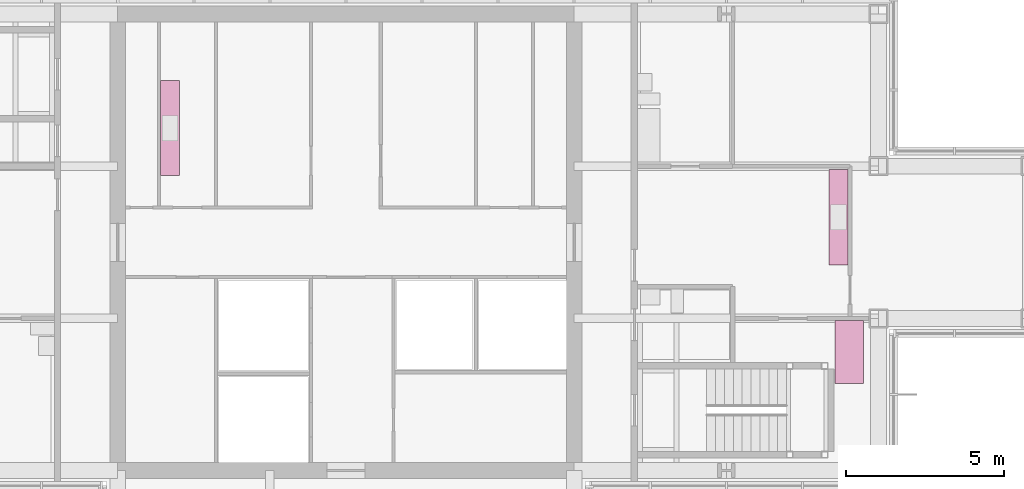
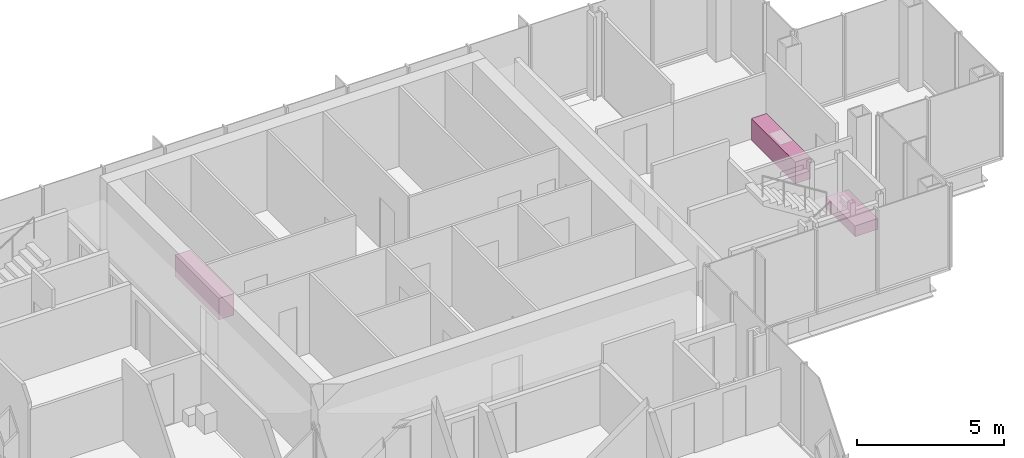
# One storey, part 15 of 15: 3 furniture elements.
"""IFC4 building model written with IfcOpenShell, lengths in metres."""

from ifc_helpers import new_model, si_unit, direction, frame, origin, origin_2d, place, context, subcontext, project, spatial, rectangle, extrude, material, type_object, element, save


model = new_model("IFC4")

# Units and contexts
model_context = context("Model", 3, precision=1e-05, world=origin(), true_north=direction((0.0, 1.0)))
body_context = subcontext(model_context, "Body", "Model", "MODEL_VIEW")
ifc_project = project(units=[si_unit("LENGTHUNIT", "METRE"), si_unit("AREAUNIT", "SQUARE_METRE"), si_unit("VOLUMEUNIT", "CUBIC_METRE"), si_unit("PLANEANGLEUNIT", "RADIAN"), si_unit("MASSUNIT", "GRAM", prefix="KILO")], contexts=[model_context])

# Site, building, storey
site_placement = place(None, origin())
site = spatial("IfcSite", under=ifc_project, at=site_placement, CompositionType="ELEMENT")
building_placement = place(site_placement, origin())
building = spatial("IfcBuilding", under=site, at=building_placement, Name="Kvirike Care Tower", CompositionType="ELEMENT")
storey_placement = place(building_placement, frame((0.0, 0.0, 236.5)))
storey = spatial("IfcBuildingStorey", under=building, at=storey_placement, Name="L65", CompositionType="ELEMENT", Elevation=236.5)

# Furniture
ifc_material_1 = material(Name="Laminated board", Category="wood")
furniture_type_1 = type_object("IfcFurnitureType", Name="KITCHEN UNIT RUN 600", AssemblyPlace="FACTORY", PredefinedType="USERDEFINED", material=ifc_material_1)
for number, where, z_axis, x_axis, name in (
    (1, (37.137939453125, 36.7900390625, 0.0), (0.0, 0.0, 1.0), (0.0, -1.0, 0.0), "Kitchen unit run L65-023"),
    (2, (16.052001953125, 39.60009765625, 0.0), (0.0, 0.0, 1.0), (0.0, 1.0, 0.0), "Kitchen unit run L65-030"),
):
    element("IfcFurniture", number, at=place(storey_placement, frame(where, z_axis=z_axis, x_axis=x_axis)), inside=storey, type_object=furniture_type_1, Name=name, ObjectType="KITCHEN UNIT", PredefinedType="USERDEFINED", context=body_context, shape_type="SweptSolid", body=[
        extrude(rectangle(XDim=3.0, YDim=0.60009765625, at=origin_2d()), origin(), (0.0, 0.0, 1.0), 0.89990234375),
    ])
ifc_material_2 = material(Name="Timber", Category="wood")
furniture_type_2 = type_object("IfcFurnitureType", Name="SINGLE BED 900 x 2000", AssemblyPlace="FACTORY", PredefinedType="BED", material=ifc_material_2)
furniture_placement = place(storey_placement, frame((37.47509765625, 32.5380859375, 0.0), z_axis=(0.0, 0.0, 1.0), x_axis=(1.0, 0.0, 0.0)))
element("IfcFurniture", 3, at=furniture_placement, inside=storey, type_object=furniture_type_2, Name="Single bed L65-019", PredefinedType="BED", context=body_context, shape_type="SweptSolid", body=[
    extrude(rectangle(XDim=0.89990234375, YDim=2.0, at=origin_2d()), origin(), (0.0, 0.0, 1.0), 0.449951171875),
])

save(model, "model.ifc")
